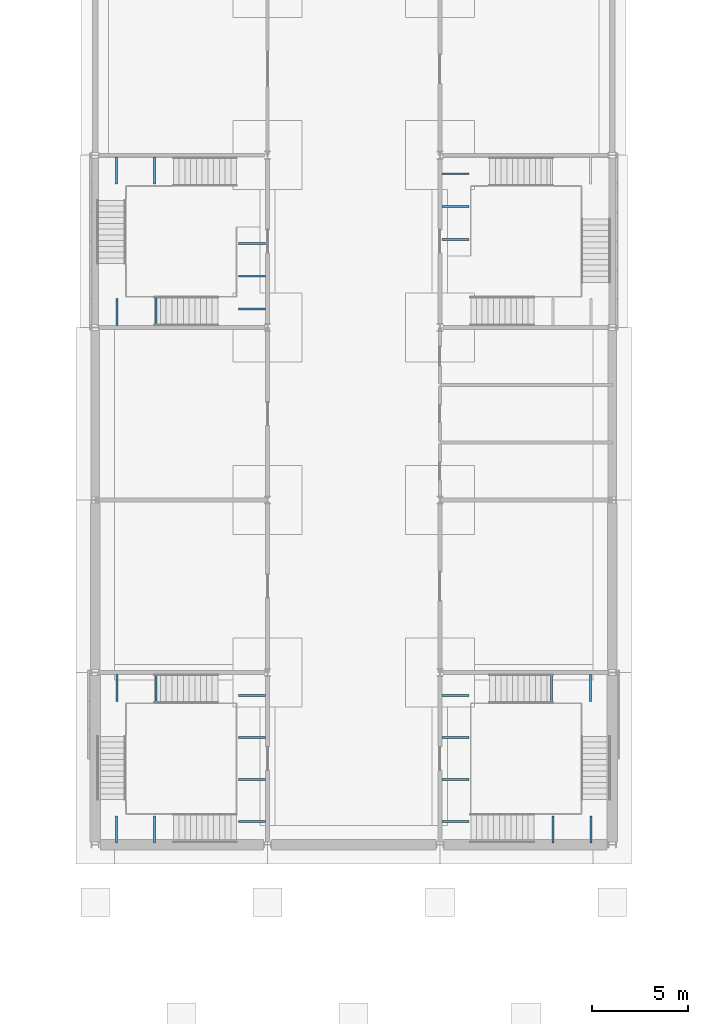
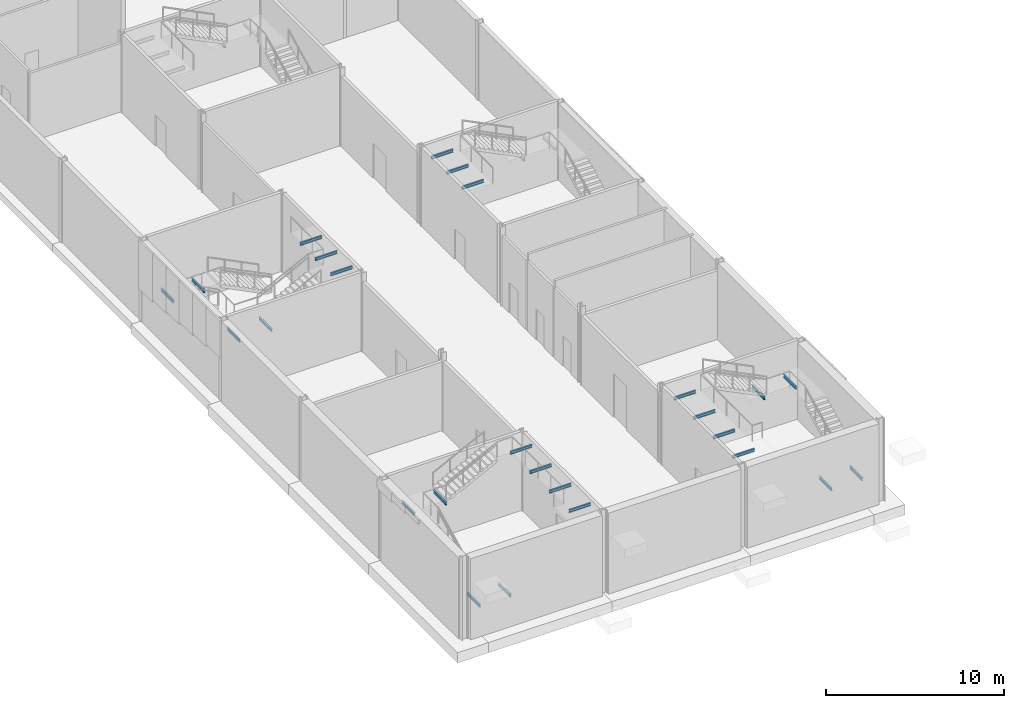
# One storey, part 11 of 45: 26 beams.
"""IFC4 building model written with IfcOpenShell, lengths in metres."""

from ifc_helpers import new_model, si_unit, direction, frame, origin, origin_2d, place, context, subcontext, project, spatial, i_section, extrude, material, material_profile, profile_set, type_object, element, save


model = new_model("IFC4")

# Units and contexts
model_context = context("Model", 3, precision=1e-05, world=origin(), true_north=direction((0.0, 1.0)))
body_context = subcontext(model_context, "Body", "Model", "MODEL_VIEW")
ifc_project = project(units=[si_unit("LENGTHUNIT", "METRE"), si_unit("AREAUNIT", "SQUARE_METRE"), si_unit("VOLUMEUNIT", "CUBIC_METRE"), si_unit("PLANEANGLEUNIT", "RADIAN"), si_unit("MASSUNIT", "GRAM", prefix="KILO")], contexts=[model_context])

# Site, building, storey
site_placement = place(None, origin())
site = spatial("IfcSite", under=ifc_project, at=site_placement, CompositionType="ELEMENT")
building_placement = place(site_placement, origin())
building = spatial("IfcBuilding", under=site, at=building_placement, Name="Azimuth Sports and Learning Centre", CompositionType="ELEMENT")
storey_placement = place(building_placement, origin())
storey = spatial("IfcBuildingStorey", under=building, at=storey_placement, Name="L00", CompositionType="ELEMENT", Elevation=0.0)

# Beams
ifc_material = material(Name="Steel S355", Category="steel")
ifc_material_profile = material_profile(ifc_material, i_section(OverallWidth=0.10009765625, OverallDepth=0.199951171875, WebThickness=0.005615234375, FlangeThickness=0.008544921875, FilletRadius=0.011962890625, at=origin_2d()), Name="IPE 200")
ifc_profile_set = profile_set([ifc_material_profile], Name="Steel S355")
beam_type = type_object("IfcBeamType", Name="Beam IPE 200", PredefinedType="BEAM", material=ifc_profile_set)
for number, where, z_axis, x_axis, name in (
    (1, (73.105224609375, 0.10009765625, 1.5), (0.0, 1.0, 0.0), (-1.0, 0.0, 0.0), "Landing bracket ST1 L00 985"),
    (2, (75.095458984375, 0.10009765625, 1.5), (0.0, 1.0, 0.0), (-1.0, 0.0, 0.0), "Landing bracket ST1 L00 986"),
    (3, (73.135009765625, 8.89990234375, 3.300048828125), (0.0, -1.0, 0.0), (1.0, 0.0, 0.0), "Landing bracket ST1 L00 987"),
    (4, (75.18505859375, 8.89990234375, 3.300048828125), (0.0, -1.0, 0.0), (1.0, 0.0, 0.0), "Landing bracket ST1 L00 988"),
    (5, (80.89990234375, 1.20751953125, 5.10009765625), (-1.0, 0.0, 0.0), (0.0, -1.0, 0.0), "Landing bracket ST1 L00 989"),
    (6, (80.89990234375, 3.402587890625, 5.10009765625), (-1.0, 0.0, 0.0), (0.0, -1.0, 0.0), "Landing bracket ST1 L00 990"),
    (7, (80.89990234375, 5.597412109375, 5.10009765625), (-1.0, 0.0, 0.0), (0.0, -1.0, 0.0), "Landing bracket ST1 L00 991"),
    (8, (80.89990234375, 7.79248046875, 5.10009765625), (-1.0, 0.0, 0.0), (0.0, -1.0, 0.0), "Landing bracket ST1 L00 992"),
    (9, (95.904541015625, 0.10009765625, 1.5), (0.0, 1.0, 0.0), (-1.0, 0.0, 0.0), "Landing bracket ST2 L00 1022"),
    (10, (97.894775390625, 0.10009765625, 1.5), (0.0, 1.0, 0.0), (-1.0, 0.0, 0.0), "Landing bracket ST2 L00 1023"),
    (11, (95.81494140625, 8.89990234375, 3.300048828125), (0.0, -1.0, 0.0), (1.0, 0.0, 0.0), "Landing bracket ST2 L00 1024"),
    (12, (97.864990234375, 8.89990234375, 3.300048828125), (0.0, -1.0, 0.0), (1.0, 0.0, 0.0), "Landing bracket ST2 L00 1025"),
    (13, (90.10009765625, 1.20751953125, 5.10009765625), (1.0, 0.0, 0.0), (0.0, 1.0, 0.0), "Landing bracket ST2 L00 1026"),
    (14, (90.10009765625, 3.402587890625, 5.10009765625), (1.0, 0.0, 0.0), (0.0, 1.0, 0.0), "Landing bracket ST2 L00 1027"),
    (15, (90.10009765625, 5.597412109375, 5.10009765625), (1.0, 0.0, 0.0), (0.0, 1.0, 0.0), "Landing bracket ST2 L00 1028"),
    (16, (90.10009765625, 7.79248046875, 5.10009765625), (1.0, 0.0, 0.0), (0.0, 1.0, 0.0), "Landing bracket ST2 L00 1029"),
    (17, (73.105224609375, 35.89990234375, 1.5), (0.0, -1.0, 0.0), (1.0, 0.0, 0.0), "Landing bracket ST3 L00 1059"),
    (18, (75.095458984375, 35.89990234375, 1.5), (0.0, -1.0, 0.0), (1.0, 0.0, 0.0), "Landing bracket ST3 L00 1060"),
    (19, (73.135009765625, 27.10009765625, 3.300048828125), (0.0, 1.0, 0.0), (-1.0, 0.0, 0.0), "Landing bracket ST3 L00 1061"),
    (20, (75.18505859375, 27.10009765625, 3.300048828125), (0.0, 1.0, 0.0), (-1.0, 0.0, 0.0), "Landing bracket ST3 L00 1062"),
    (21, (80.89990234375, 27.966552734375, 5.10009765625), (-1.0, 0.0, 0.0), (0.0, -1.0, 0.0), "Landing bracket ST3 L00 1063"),
    (22, (80.89990234375, 29.679931640625, 5.10009765625), (-1.0, 0.0, 0.0), (0.0, -1.0, 0.0), "Landing bracket ST3 L00 1064"),
    (23, (80.89990234375, 31.393310546875, 5.10009765625), (-1.0, 0.0, 0.0), (0.0, -1.0, 0.0), "Landing bracket ST3 L00 1065"),
    (24, (90.10009765625, 31.606689453125, 5.10009765625), (1.0, 0.0, 0.0), (0.0, 1.0, 0.0), "Landing bracket ST4 L00 1097"),
    (25, (90.10009765625, 33.320068359375, 5.10009765625), (1.0, 0.0, 0.0), (0.0, 1.0, 0.0), "Landing bracket ST4 L00 1098"),
    (26, (90.10009765625, 35.033447265625, 5.10009765625), (1.0, 0.0, 0.0), (0.0, 1.0, 0.0), "Landing bracket ST4 L00 1099"),
):
    element("IfcBeam", number, at=place(storey_placement, frame(where, z_axis=z_axis, x_axis=x_axis)), inside=storey, type_object=beam_type, Name=name, PredefinedType="BEAM", context=body_context, shape_type="SweptSolid", body=[
        extrude(i_section(OverallWidth=0.10009765625, OverallDepth=0.199951171875, WebThickness=0.005615234375, FlangeThickness=0.008544921875, FilletRadius=0.011962890625, at=origin_2d()), origin(), (0.0, 0.0, 1.0), 1.409912109375),
    ])

save(model, "model.ifc")
